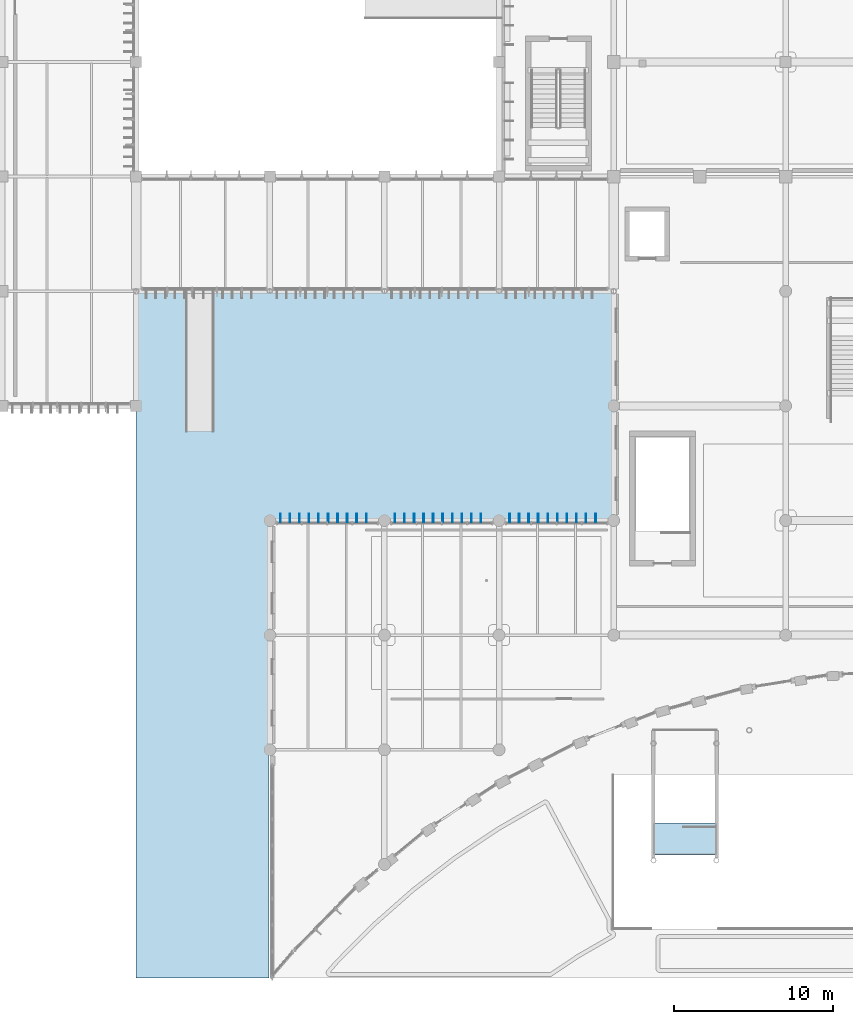
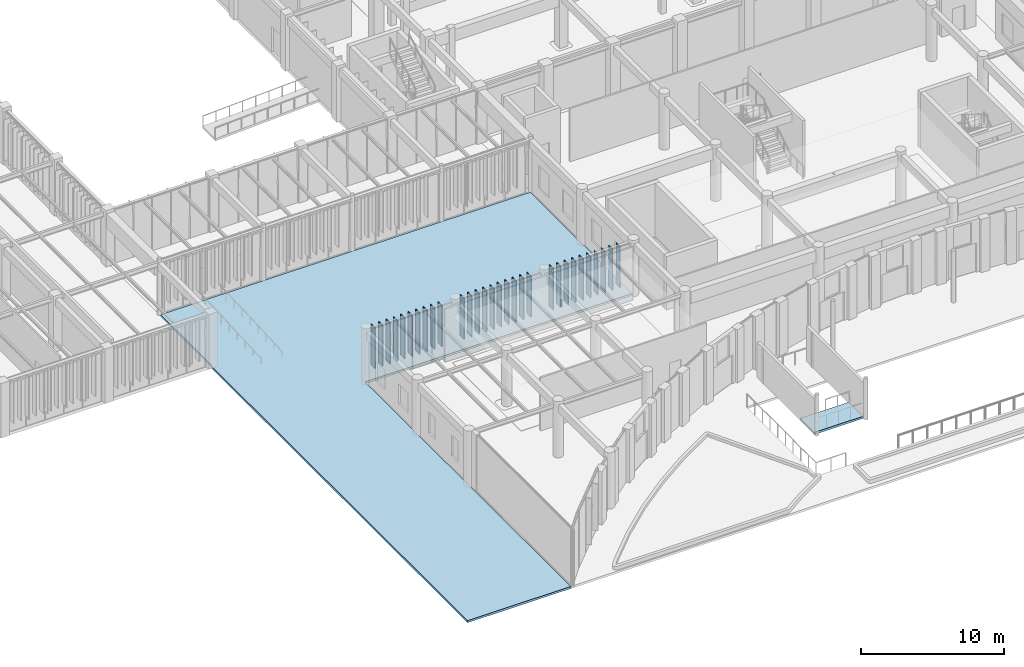
# One storey, part 15 of 122: 30 plates, 2 slabs.
"""IFC4 building model written with IfcOpenShell, lengths in metres."""

from ifc_helpers import new_model, si_unit, direction, frame, origin, origin_2d, place, context, subcontext, project, spatial, polyline, rectangle, outline, extrude, material, layer, layer_set, type_object, element, save


model = new_model("IFC4")

# Units and contexts
model_context = context("Model", 3, precision=1e-05, world=origin(), true_north=direction((0.0, 1.0)))
body_context = subcontext(model_context, "Body", "Model", "MODEL_VIEW")
ifc_project = project(units=[si_unit("LENGTHUNIT", "METRE"), si_unit("AREAUNIT", "SQUARE_METRE"), si_unit("VOLUMEUNIT", "CUBIC_METRE"), si_unit("PLANEANGLEUNIT", "RADIAN"), si_unit("MASSUNIT", "GRAM", prefix="KILO")], contexts=[model_context])

# Site, building, storey
site_placement = place(None, origin())
site = spatial("IfcSite", under=ifc_project, at=site_placement, CompositionType="ELEMENT")
building_placement = place(site_placement, origin())
building = spatial("IfcBuilding", under=site, at=building_placement, Name="Tazoul Stagehouse", CompositionType="ELEMENT")
storey_placement = place(building_placement, origin())
storey = spatial("IfcBuildingStorey", under=building, at=storey_placement, Name="L00", CompositionType="ELEMENT", Elevation=0.0)

# Slabs
ifc_material_1 = material(Name="Concrete C40/50", Category="concrete")
ifc_layer_1 = layer(ifc_material_1, 0.179931640625, Name="Concrete C40/50")
ifc_layer_set_1 = layer_set([ifc_layer_1], Name="Concrete C40/50")
slab_type_1 = type_object("IfcSlabType", Name="Core Half-Landing Slab 180", PredefinedType="LANDING", material=ifc_layer_set_1)
slab_1_placement = place(storey_placement, frame((0.0, 0.0, -0.179931640625)))
element("IfcSlab", 1, at=slab_1_placement, inside=storey, type_object=slab_type_1, Name="Amphitheatre Top Arrival Landing (AMP-W)", PredefinedType="LANDING", context=body_context, shape_type="SweptSolid", body=[
    extrude(outline(polyline([(60.090087890625, 9.199951171875), (64.06005859375, 9.199951171875), (64.06005859375, 11.199951171875), (60.090087890625, 11.199951171875), (60.090087890625, 9.199951171875)])), origin(), (0.0, 0.0, 1.0), 0.179931640625),
])
ifc_material_2 = material(Name="Precast concrete C35/45", Category="concrete")
ifc_layer_2 = layer(ifc_material_2, 0.179931640625, Name="Precast concrete C35/45")
ifc_layer_set_2 = layer_set([ifc_layer_2], Name="Precast concrete C35/45")
slab_type_2 = type_object("IfcSlabType", Name="Exterior Civic Transit Plaza Paving Plinth 180", PredefinedType="BASESLAB", material=ifc_layer_set_2)
slab_2_placement = place(storey_placement, frame((0.0, 0.0, -0.179931640625)))
element("IfcSlab", 2, at=slab_2_placement, inside=storey, type_object=slab_type_2, Name="L00 Civic Transit Plaza Paving Plinth PV-01 (2)", PredefinedType="BASESLAB", context=body_context, shape_type="SweptSolid", body=[
    extrude(outline(polyline([(57.5400390625, 30.260009765625), (36.0, 30.260009765625), (35.994140625, 30.259765625), (35.98828125, 30.2587890625), (35.982666015625, 30.25732421875), (35.97705078125, 30.25537109375), (35.9716796875, 30.2529296875), (35.966796875, 30.25), (35.9619140625, 30.246337890625), (35.95751953125, 30.242431640625), (35.95361328125, 30.238037109375), (35.9501953125, 30.2333984375), (35.947021484375, 30.228271484375), (35.944580078125, 30.222900390625), (35.942626953125, 30.21728515625), (35.941162109375, 30.211669921875), (35.940185546875, 30.205810546875), (35.93994140625, 30.199951171875), (35.93994140625, 1.449951171875), (27.60009765625, 1.449951171875), (27.60009765625, 37.340087890625), (27.60595703125, 37.34033203125), (27.61181640625, 37.34130859375), (27.617431640625, 37.342529296875), (27.623046875, 37.344482421875), (27.62841796875, 37.34716796875), (27.63330078125, 37.35009765625), (27.63818359375, 37.353515625), (27.642333984375, 37.357666015625), (27.646484375, 37.36181640625), (27.64990234375, 37.36669921875), (27.65283203125, 37.37158203125), (27.655517578125, 37.376953125), (27.657470703125, 37.382568359375), (27.65869140625, 37.38818359375), (27.65966796875, 37.39404296875), (27.659912109375, 37.39990234375), (27.659912109375, 44.52001953125), (57.5400390625, 44.52001953125), (57.5400390625, 30.260009765625)])), origin(), (0.0, 0.0, 1.0), 0.179931640625),
])

# Plates
ifc_material_3 = material(Name="Anodised Bronze Aluminium 6063-T6", Category="aluminium")
ifc_layer_3 = layer(ifc_material_3, 0.550048828125, Name="Anodised Bronze Aluminium 6063-T6")
ifc_layer_set_3 = layer_set([ifc_layer_3], Name="Anodised Bronze Aluminium 6063-T6")
plate_type = type_object("IfcPlateType", Name="Parametric Terracotta-Bronze Solar Fin 550x3500", PredefinedType="USERDEFINED", material=ifc_layer_set_3)
for number, where, z_axis, x_axis, name in (
    (3, (36.6650390625, 30.35498046875, 0.989990234375), (0.0, 0.0, 1.0), (1.0, 0.0, 0.0), "L00 Parametric Solar Fin SFN-21 (CW-V5-NRET-W-L00-B1-01)"),
    (4, (37.264892578125, 30.35498046875, 0.989990234375), (0.0, 0.0, 1.0), (1.0, 0.0, 0.0), "L00 Parametric Solar Fin SFN-21 (CW-V5-NRET-W-L00-B1-02)"),
    (5, (37.864990234375, 30.35498046875, 0.989990234375), (0.0, 0.0, 1.0), (1.0, 0.0, 0.0), "L00 Parametric Solar Fin SFN-21 (CW-V5-NRET-W-L00-B1-03)"),
    (6, (38.465087890625, 30.35498046875, 0.989990234375), (0.0, 0.0, 1.0), (1.0, 0.0, 0.0), "L00 Parametric Solar Fin SFN-21 (CW-V5-NRET-W-L00-B1-04)"),
    (7, (39.06494140625, 30.35498046875, 0.989990234375), (0.0, 0.0, 1.0), (1.0, 0.0, 0.0), "L00 Parametric Solar Fin SFN-21 (CW-V5-NRET-W-L00-B1-05)"),
    (8, (39.6650390625, 30.35498046875, 0.989990234375), (0.0, 0.0, 1.0), (1.0, 0.0, 0.0), "L00 Parametric Solar Fin SFN-21 (CW-V5-NRET-W-L00-B1-06)"),
    (9, (40.264892578125, 30.35498046875, 0.989990234375), (0.0, 0.0, 1.0), (1.0, 0.0, 0.0), "L00 Parametric Solar Fin SFN-21 (CW-V5-NRET-W-L00-B1-07)"),
    (10, (40.864990234375, 30.35498046875, 0.989990234375), (0.0, 0.0, 1.0), (1.0, 0.0, 0.0), "L00 Parametric Solar Fin SFN-21 (CW-V5-NRET-W-L00-B1-08)"),
    (11, (41.465087890625, 30.35498046875, 0.989990234375), (0.0, 0.0, 1.0), (1.0, 0.0, 0.0), "L00 Parametric Solar Fin SFN-21 (CW-V5-NRET-W-L00-B1-09)"),
    (12, (42.06494140625, 30.35498046875, 0.989990234375), (0.0, 0.0, 1.0), (1.0, 0.0, 0.0), "L00 Parametric Solar Fin SFN-21 (CW-V5-NRET-W-L00-B1-10)"),
    (13, (43.864990234375, 30.35498046875, 0.989990234375), (0.0, 0.0, 1.0), (1.0, 0.0, 0.0), "L00 Parametric Solar Fin SFN-21 (CW-V5-NRET-W-L00-B2-01)"),
    (14, (44.465087890625, 30.35498046875, 0.989990234375), (0.0, 0.0, 1.0), (1.0, 0.0, 0.0), "L00 Parametric Solar Fin SFN-21 (CW-V5-NRET-W-L00-B2-02)"),
    (15, (45.06494140625, 30.35498046875, 0.989990234375), (0.0, 0.0, 1.0), (1.0, 0.0, 0.0), "L00 Parametric Solar Fin SFN-21 (CW-V5-NRET-W-L00-B2-03)"),
    (16, (45.6650390625, 30.35498046875, 0.989990234375), (0.0, 0.0, 1.0), (1.0, 0.0, 0.0), "L00 Parametric Solar Fin SFN-21 (CW-V5-NRET-W-L00-B2-04)"),
    (17, (46.264892578125, 30.35498046875, 0.989990234375), (0.0, 0.0, 1.0), (1.0, 0.0, 0.0), "L00 Parametric Solar Fin SFN-21 (CW-V5-NRET-W-L00-B2-05)"),
    (18, (46.864990234375, 30.35498046875, 0.989990234375), (0.0, 0.0, 1.0), (1.0, 0.0, 0.0), "L00 Parametric Solar Fin SFN-21 (CW-V5-NRET-W-L00-B2-06)"),
    (19, (47.465087890625, 30.35498046875, 0.989990234375), (0.0, 0.0, 1.0), (1.0, 0.0, 0.0), "L00 Parametric Solar Fin SFN-21 (CW-V5-NRET-W-L00-B2-07)"),
    (20, (48.06494140625, 30.35498046875, 0.989990234375), (0.0, 0.0, 1.0), (1.0, 0.0, 0.0), "L00 Parametric Solar Fin SFN-21 (CW-V5-NRET-W-L00-B2-08)"),
    (21, (48.6650390625, 30.35498046875, 0.989990234375), (0.0, 0.0, 1.0), (1.0, 0.0, 0.0), "L00 Parametric Solar Fin SFN-21 (CW-V5-NRET-W-L00-B2-09)"),
    (22, (49.264892578125, 30.35498046875, 0.989990234375), (0.0, 0.0, 1.0), (1.0, 0.0, 0.0), "L00 Parametric Solar Fin SFN-21 (CW-V5-NRET-W-L00-B2-10)"),
    (23, (51.06494140625, 30.35498046875, 0.989990234375), (0.0, 0.0, 1.0), (1.0, 0.0, 0.0), "L00 Parametric Solar Fin SFN-21 (CW-V5-NRET-W-L00-B3-01)"),
    (24, (51.6650390625, 30.35498046875, 0.989990234375), (0.0, 0.0, 1.0), (1.0, 0.0, 0.0), "L00 Parametric Solar Fin SFN-21 (CW-V5-NRET-W-L00-B3-02)"),
    (25, (52.264892578125, 30.35498046875, 0.989990234375), (0.0, 0.0, 1.0), (1.0, 0.0, 0.0), "L00 Parametric Solar Fin SFN-21 (CW-V5-NRET-W-L00-B3-03)"),
    (26, (52.864990234375, 30.35498046875, 0.989990234375), (0.0, 0.0, 1.0), (1.0, 0.0, 0.0), "L00 Parametric Solar Fin SFN-21 (CW-V5-NRET-W-L00-B3-04)"),
    (27, (53.465087890625, 30.35498046875, 0.989990234375), (0.0, 0.0, 1.0), (1.0, 0.0, 0.0), "L00 Parametric Solar Fin SFN-21 (CW-V5-NRET-W-L00-B3-05)"),
    (28, (54.06494140625, 30.35498046875, 0.989990234375), (0.0, 0.0, 1.0), (1.0, 0.0, 0.0), "L00 Parametric Solar Fin SFN-21 (CW-V5-NRET-W-L00-B3-06)"),
    (29, (54.6650390625, 30.35498046875, 0.989990234375), (0.0, 0.0, 1.0), (1.0, 0.0, 0.0), "L00 Parametric Solar Fin SFN-21 (CW-V5-NRET-W-L00-B3-07)"),
    (30, (55.264892578125, 30.35498046875, 0.989990234375), (0.0, 0.0, 1.0), (1.0, 0.0, 0.0), "L00 Parametric Solar Fin SFN-21 (CW-V5-NRET-W-L00-B3-08)"),
    (31, (55.864990234375, 30.35498046875, 0.989990234375), (0.0, 0.0, 1.0), (1.0, 0.0, 0.0), "L00 Parametric Solar Fin SFN-21 (CW-V5-NRET-W-L00-B3-09)"),
    (32, (56.465087890625, 30.35498046875, 0.989990234375), (0.0, 0.0, 1.0), (1.0, 0.0, 0.0), "L00 Parametric Solar Fin SFN-21 (CW-V5-NRET-W-L00-B3-10)"),
):
    element("IfcPlate", number, at=place(storey_placement, frame(where, z_axis=z_axis, x_axis=x_axis)), inside=storey, type_object=plate_type, Name=name, ObjectType="SOLAR FIN", PredefinedType="USERDEFINED", context=body_context, shape_type="SweptSolid", body=[
        extrude(rectangle(XDim=0.044921875, YDim=0.550048828125, at=origin_2d()), origin(), (0.0, 0.0, 1.0), 3.5),
    ])

save(model, "model.ifc")
